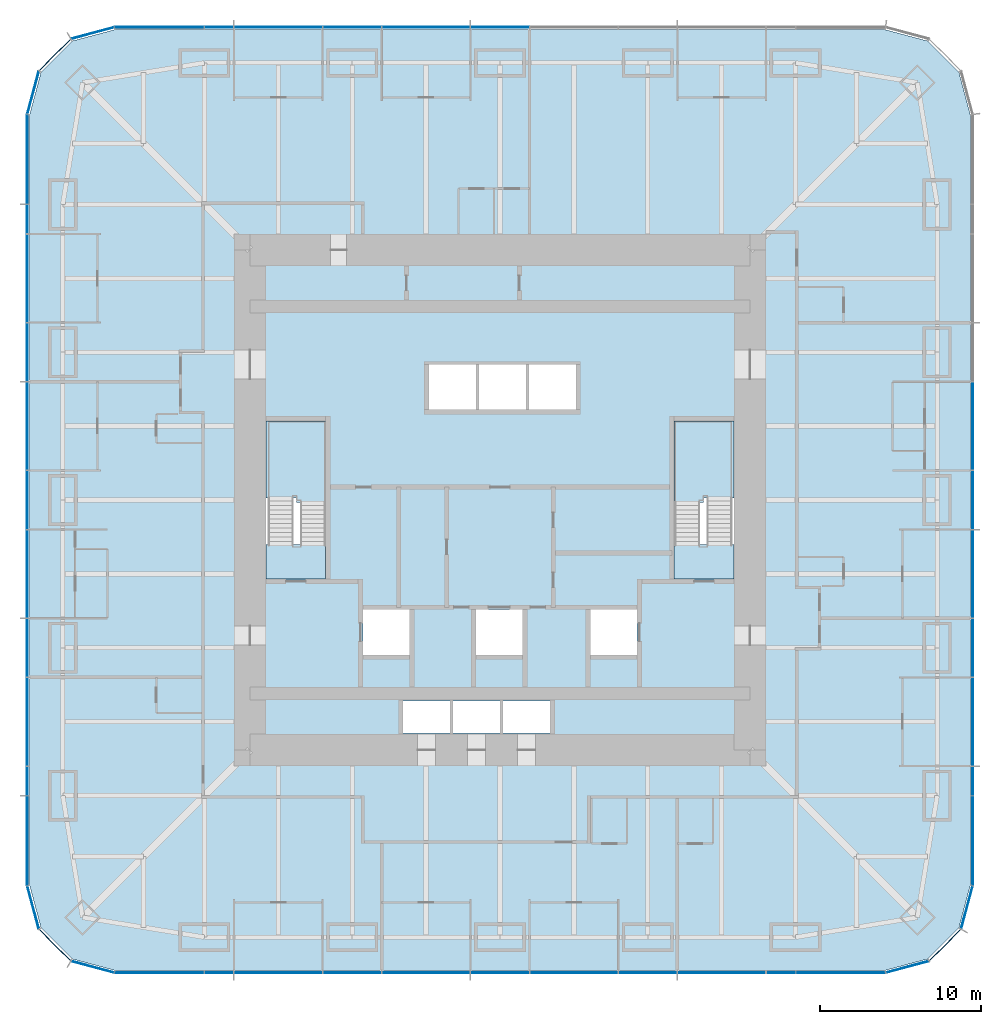
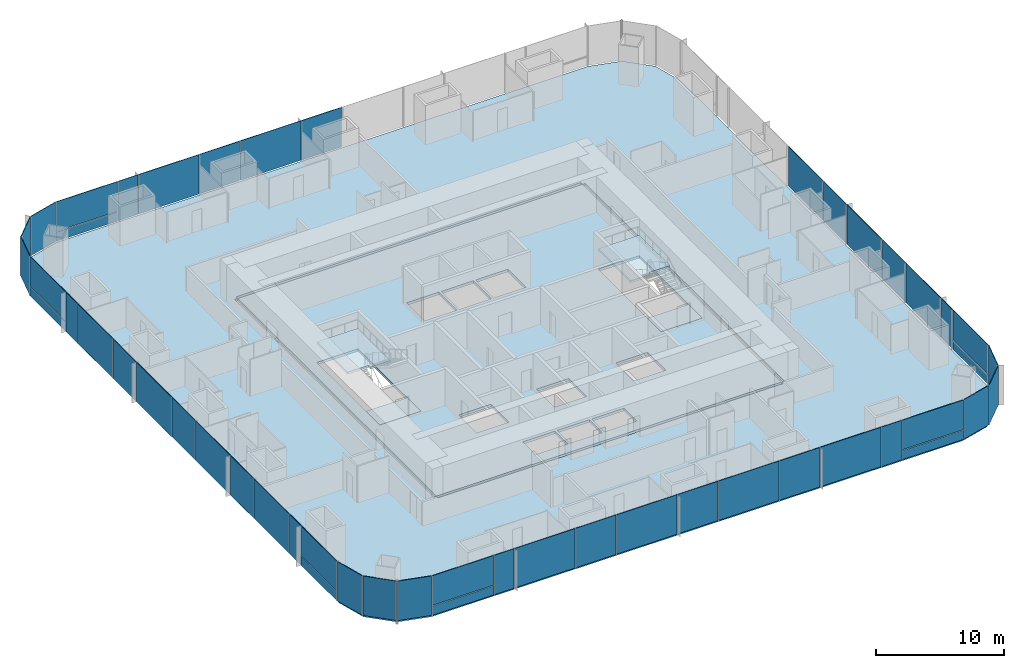
# One storey, part 7 of 13: 50 plates, 6 slabs, 9 elements without a shape of their own.
"""IFC4 building model written with IfcOpenShell, lengths in metres."""

from ifc_helpers import new_model, si_unit, direction, frame, origin, origin_2d, place, context, subcontext, project, spatial, polyline, rectangle, outline, extrude, material, layer, layer_set, type_object, element, aggregate, save


model = new_model("IFC4")

# Units and contexts
model_context = context("Model", 3, precision=1e-05, world=origin(), true_north=direction((0.0, 1.0)))
body_context = subcontext(model_context, "Body", "Model", "MODEL_VIEW")
ifc_project = project(units=[si_unit("LENGTHUNIT", "METRE"), si_unit("AREAUNIT", "SQUARE_METRE"), si_unit("VOLUMEUNIT", "CUBIC_METRE"), si_unit("PLANEANGLEUNIT", "RADIAN"), si_unit("MASSUNIT", "GRAM", prefix="KILO")], contexts=[model_context])

# Site, building, storey
site_placement = place(None, origin())
site = spatial("IfcSite", under=ifc_project, at=site_placement, CompositionType="ELEMENT")
building_placement = place(site_placement, origin())
building = spatial("IfcBuilding", under=site, at=building_placement, Name="Khuree Lantern Residences", CompositionType="ELEMENT")
storey_placement = place(building_placement, frame((0.0, 0.0, 114.75)))
storey = spatial("IfcBuildingStorey", under=building, at=storey_placement, Name="L28", CompositionType="ELEMENT", Elevation=114.75)

# Slab
ifc_material_1 = material(Name="Concrete C35/45", Category="concrete")
ifc_layer_1 = layer(ifc_material_1, 0.25)
ifc_layer_set_1 = layer_set([ifc_layer_1], Name="CFL250 CORE FLOOR SLAB 250")
slab_type_1 = type_object("IfcSlabType", Name="CFL250 CORE FLOOR SLAB 250", PredefinedType="FLOOR", material=ifc_layer_set_1)
slab_1_placement = place(storey_placement, frame((0.0, 0.0, -0.25)))
element("IfcSlab", 1, at=slab_1_placement, inside=storey, type_object=slab_type_1, Name="Core floor L28", PredefinedType="FLOOR", context=body_context, shape_type="SweptSolid", body=[
    extrude(outline(polyline([(-15.5, -15.5), (-15.5, 15.5), (15.5, 15.5), (15.5, -15.5), (-15.5, -15.5)]), holes=[polyline([(10.800048828125, 4.89990234375), (10.800048828125, -4.89990234375), (14.5, -4.89990234375), (14.5, 4.89990234375), (10.800048828125, 4.89990234375)]), polyline([(8.5, -6.800048828125), (5.60009765625, -6.800048828125), (5.60009765625, -9.60009765625), (8.5, -9.60009765625), (8.5, -6.800048828125)]), polyline([(4.699951171875, 8.39990234375), (1.800048828125, 8.39990234375), (1.800048828125, 5.60009765625), (4.699951171875, 5.60009765625), (4.699951171875, 8.39990234375)]), polyline([(3.10009765625, -12.449951171875), (0.199951171875, -12.449951171875), (0.199951171875, -14.449951171875), (3.10009765625, -14.449951171875), (3.10009765625, -12.449951171875)]), polyline([(1.60009765625, 8.39990234375), (-1.300048828125, 8.39990234375), (-1.300048828125, 5.60009765625), (1.60009765625, 5.60009765625), (1.60009765625, 8.39990234375)]), polyline([(1.39990234375, -6.800048828125), (-1.5, -6.800048828125), (-1.5, -9.60009765625), (1.39990234375, -9.60009765625), (1.39990234375, -6.800048828125)]), polyline([(-2.89990234375, -12.449951171875), (-2.89990234375, -14.449951171875), (0.0, -14.449951171875), (0.0, -12.449951171875), (-2.89990234375, -12.449951171875)]), polyline([(-4.39990234375, 8.39990234375), (-4.39990234375, 5.60009765625), (-1.5, 5.60009765625), (-1.5, 8.39990234375), (-4.39990234375, 8.39990234375)]), polyline([(-6.0, -12.449951171875), (-6.0, -14.449951171875), (-3.10009765625, -14.449951171875), (-3.10009765625, -12.449951171875), (-6.0, -12.449951171875)]), polyline([(-8.5, -6.800048828125), (-8.5, -9.60009765625), (-5.60009765625, -9.60009765625), (-5.60009765625, -6.800048828125), (-8.5, -6.800048828125)]), polyline([(-10.800048828125, 4.89990234375), (-14.5, 4.89990234375), (-14.5, -4.89990234375), (-10.800048828125, -4.89990234375), (-10.800048828125, 4.89990234375)])]), origin(), (0.0, 0.0, 1.0), 0.25),
])

# Curtain wall, plates
ifc_material_2 = material(Name="Bronze anodised aluminium", Category="aluminium")
curtain_wall_type_1 = type_object("IfcCurtainWallType", Name="CW-T2 TOWER CORNER CURTAIN WALL", PredefinedType="USERDEFINED", material=ifc_material_2)
curtain_wall_1_placement = place(storey_placement, origin())
curtain_wall_1 = element("IfcCurtainWall", 2, at=curtain_wall_1_placement, inside=storey, type_object=curtain_wall_type_1, Name="L28 SOUTH-EAST CORNER CURTAIN WALL", ObjectType="Faceted corner curtain wall", PredefinedType="USERDEFINED")
ifc_material_3 = material(Name="Bronze tinted triple glazing", Category="glass")
ifc_layer_2 = layer(ifc_material_3, 0.048095703125)
ifc_layer_set_2 = layer_set([ifc_layer_2], Name="FACET PANEL P4")
plate_type_1 = type_object("IfcPlateType", Name="FACET PANEL P4", PredefinedType="CURTAIN_PANEL", material=ifc_layer_set_2)
plate_1_placement = place(storey_placement, frame((25.248046875, -28.938720703125, 0.0), z_axis=(0.0, 0.0, 1.0), x_axis=(0.965925810153, 0.258819105321, 0.0)))
plate_1 = element("IfcPlate", 3, at=plate_1_placement, type_object=plate_type_1, Name="L28 SOUTH-EAST CORNER PANEL 1.1", PredefinedType="CURTAIN_PANEL", context=body_context, shape_type="SweptSolid", body=[
    extrude(rectangle(XDim=2.71923828125, YDim=0.048095703125, at=origin_2d()), origin(), (0.0, 0.0, 1.0), 3.75),
])
plate_2_placement = place(storey_placement, frame((27.58837890625, -27.58837890625, 0.0), z_axis=(0.0, 0.0, 1.0), x_axis=(0.707106781187, 0.707106781187, 0.0)))
plate_2 = element("IfcPlate", 4, at=plate_2_placement, type_object=plate_type_1, Name="L28 SOUTH-EAST CORNER PANEL 2.1", PredefinedType="CURTAIN_PANEL", context=body_context, shape_type="SweptSolid", body=[
    extrude(rectangle(XDim=2.715087890625, YDim=0.048095703125, at=origin_2d()), origin(), (0.0, 0.0, 1.0), 3.75),
])
plate_3_placement = place(storey_placement, frame((28.938720703125, -25.248046875, 0.0), z_axis=(0.0, 0.0, 1.0), x_axis=(0.258819105321, 0.965925810153, 0.0)))
plate_3 = element("IfcPlate", 5, at=plate_3_placement, type_object=plate_type_1, Name="L28 SOUTH-EAST CORNER PANEL 3.1", PredefinedType="CURTAIN_PANEL", context=body_context, shape_type="SweptSolid", body=[
    extrude(rectangle(XDim=2.71923828125, YDim=0.048095703125, at=origin_2d()), origin(), (0.0, 0.0, 1.0), 3.75),
])
aggregate(curtain_wall_1, [plate_1, plate_2, plate_3])

curtain_wall_2_placement = place(storey_placement, origin())
curtain_wall_2 = element("IfcCurtainWall", 6, at=curtain_wall_2_placement, inside=storey, type_object=curtain_wall_type_1, Name="L28 NORTH-WEST CORNER CURTAIN WALL", ObjectType="Faceted corner curtain wall", PredefinedType="USERDEFINED")
plate_4_placement = place(storey_placement, frame((-25.248046875, 28.938720703125, 0.0), z_axis=(0.0, 0.0, 1.0), x_axis=(-0.965925810153, -0.258819105321, 0.0)))
plate_4 = element("IfcPlate", 7, at=plate_4_placement, type_object=plate_type_1, Name="L28 NORTH-WEST CORNER PANEL 29.1", PredefinedType="CURTAIN_PANEL", context=body_context, shape_type="SweptSolid", body=[
    extrude(rectangle(XDim=2.71923828125, YDim=0.048095703125, at=origin_2d()), origin(), (0.0, 0.0, 1.0), 3.75),
])
plate_5_placement = place(storey_placement, frame((-27.58837890625, 27.58837890625, 0.0), z_axis=(0.0, 0.0, 1.0), x_axis=(-0.707106781187, -0.707106781187, 0.0)))
plate_5 = element("IfcPlate", 8, at=plate_5_placement, type_object=plate_type_1, Name="L28 NORTH-WEST CORNER PANEL 30.1", PredefinedType="CURTAIN_PANEL", context=body_context, shape_type="SweptSolid", body=[
    extrude(rectangle(XDim=2.715087890625, YDim=0.048095703125, at=origin_2d()), origin(), (0.0, 0.0, 1.0), 3.75),
])
plate_6_placement = place(storey_placement, frame((-28.938720703125, 25.248046875, 0.0), z_axis=(0.0, 0.0, 1.0), x_axis=(-0.258819105321, -0.965925810153, 0.0)))
plate_6 = element("IfcPlate", 9, at=plate_6_placement, type_object=plate_type_1, Name="L28 NORTH-WEST CORNER PANEL 31.1", PredefinedType="CURTAIN_PANEL", context=body_context, shape_type="SweptSolid", body=[
    extrude(rectangle(XDim=2.71923828125, YDim=0.048095703125, at=origin_2d()), origin(), (0.0, 0.0, 1.0), 3.75),
])
aggregate(curtain_wall_2, [plate_4, plate_5, plate_6])

curtain_wall_3_placement = place(storey_placement, origin())
curtain_wall_3 = element("IfcCurtainWall", 10, at=curtain_wall_3_placement, inside=storey, type_object=curtain_wall_type_1, Name="L28 SOUTH-WEST CORNER CURTAIN WALL", ObjectType="Faceted corner curtain wall", PredefinedType="USERDEFINED")
plate_7_placement = place(storey_placement, frame((-28.938720703125, -25.248046875, 0.0), z_axis=(0.0, 0.0, 1.0), x_axis=(0.258819105321, -0.965925810153, 0.0)))
plate_7 = element("IfcPlate", 11, at=plate_7_placement, type_object=plate_type_1, Name="L28 SOUTH-WEST CORNER PANEL 43.1", PredefinedType="CURTAIN_PANEL", context=body_context, shape_type="SweptSolid", body=[
    extrude(rectangle(XDim=2.71923828125, YDim=0.048095703125, at=origin_2d()), origin(), (0.0, 0.0, 1.0), 3.75),
])
plate_8_placement = place(storey_placement, frame((-27.58837890625, -27.58837890625, 0.0), z_axis=(0.0, 0.0, 1.0), x_axis=(0.707106781187, -0.707106781187, 0.0)))
plate_8 = element("IfcPlate", 12, at=plate_8_placement, type_object=plate_type_1, Name="L28 SOUTH-WEST CORNER PANEL 44.1", PredefinedType="CURTAIN_PANEL", context=body_context, shape_type="SweptSolid", body=[
    extrude(rectangle(XDim=2.715087890625, YDim=0.048095703125, at=origin_2d()), origin(), (0.0, 0.0, 1.0), 3.75),
])
plate_9_placement = place(storey_placement, frame((-25.248046875, -28.938720703125, 0.0), z_axis=(0.0, 0.0, 1.0), x_axis=(0.965925810153, -0.258819105321, 0.0)))
plate_9 = element("IfcPlate", 13, at=plate_9_placement, type_object=plate_type_1, Name="L28 SOUTH-WEST CORNER PANEL 45.1", PredefinedType="CURTAIN_PANEL", context=body_context, shape_type="SweptSolid", body=[
    extrude(rectangle(XDim=2.71923828125, YDim=0.048095703125, at=origin_2d()), origin(), (0.0, 0.0, 1.0), 3.75),
])
aggregate(curtain_wall_3, [plate_7, plate_8, plate_9])

curtain_wall_type_2 = type_object("IfcCurtainWallType", Name="CW-T1 TOWER FACE CURTAIN WALL", PredefinedType="USERDEFINED", material=ifc_material_2)
curtain_wall_4_placement = place(storey_placement, origin())
curtain_wall_4 = element("IfcCurtainWall", 14, at=curtain_wall_4_placement, inside=storey, type_object=curtain_wall_type_2, Name="L28 EAST FACE CURTAIN WALL", ObjectType="Stick-built curtain wall", PredefinedType="USERDEFINED")
ifc_material_4 = material(Name="Bronze tinted triple glazing with a ceramic-fritted spandrel band", Category="glass")
ifc_layer_3 = layer(ifc_material_4, 0.048095703125)
ifc_layer_set_3 = layer_set([ifc_layer_3], Name="FIXED LIGHT PANEL P11")
plate_type_2 = type_object("IfcPlateType", Name="FIXED LIGHT PANEL P11", PredefinedType="CURTAIN_PANEL", material=ifc_layer_set_3)
plate_10_placement = place(storey_placement, frame((29.300048828125, -13.739990234375, 0.0), z_axis=(0.0, 0.0, 1.0), x_axis=(0.0, 1.0, 0.0)))
plate_10 = element("IfcPlate", 15, at=plate_10_placement, type_object=plate_type_2, Name="L28 EAST FACE PANEL 6.1", PredefinedType="CURTAIN_PANEL", context=body_context, shape_type="SweptSolid", body=[
    extrude(rectangle(XDim=5.430908203125, YDim=0.048095703125, at=origin_2d()), origin(), (0.0, 0.0, 1.0), 3.75),
])
plate_11_placement = place(storey_placement, frame((29.300048828125, -4.580078125, 0.0), z_axis=(0.0, 0.0, 1.0), x_axis=(0.0, 1.0, 0.0)))
plate_11 = element("IfcPlate", 16, at=plate_11_placement, type_object=plate_type_2, Name="L28 EAST FACE PANEL 8.1", PredefinedType="CURTAIN_PANEL", context=body_context, shape_type="SweptSolid", body=[
    extrude(rectangle(XDim=5.430908203125, YDim=0.048095703125, at=origin_2d()), origin(), (0.0, 0.0, 1.0), 3.75),
])
plate_12_placement = place(storey_placement, frame((29.300048828125, 4.580078125, 0.0), z_axis=(0.0, 0.0, 1.0), x_axis=(0.0, 1.0, 0.0)))
plate_12 = element("IfcPlate", 17, at=plate_12_placement, type_object=plate_type_2, Name="L28 EAST FACE PANEL 10.1", PredefinedType="CURTAIN_PANEL", context=body_context, shape_type="SweptSolid", body=[
    extrude(rectangle(XDim=5.430908203125, YDim=0.048095703125, at=origin_2d()), origin(), (0.0, 0.0, 1.0), 3.75),
])

curtain_wall_5_placement = place(storey_placement, origin())
curtain_wall_5 = element("IfcCurtainWall", 18, at=curtain_wall_5_placement, inside=storey, type_object=curtain_wall_type_2, Name="L28 NORTH FACE CURTAIN WALL", ObjectType="Stick-built curtain wall", PredefinedType="USERDEFINED")
plate_13_placement = place(storey_placement, frame((-4.580078125, 29.300048828125, 0.0), z_axis=(0.0, 0.0, 1.0), x_axis=(-1.0, 0.0, 0.0)))
plate_13 = element("IfcPlate", 19, at=plate_13_placement, type_object=plate_type_2, Name="L28 NORTH FACE PANEL 24.1", PredefinedType="CURTAIN_PANEL", context=body_context, shape_type="SweptSolid", body=[
    extrude(rectangle(XDim=5.430908203125, YDim=0.048095703125, at=origin_2d()), origin(), (0.0, 0.0, 1.0), 3.75),
])
plate_14_placement = place(storey_placement, frame((-13.739990234375, 29.300048828125, 0.0), z_axis=(0.0, 0.0, 1.0), x_axis=(-1.0, 0.0, 0.0)))
plate_14 = element("IfcPlate", 20, at=plate_14_placement, type_object=plate_type_2, Name="L28 NORTH FACE PANEL 26.1", PredefinedType="CURTAIN_PANEL", context=body_context, shape_type="SweptSolid", body=[
    extrude(rectangle(XDim=5.430908203125, YDim=0.048095703125, at=origin_2d()), origin(), (0.0, 0.0, 1.0), 3.75),
])

curtain_wall_6_placement = place(storey_placement, origin())
curtain_wall_6 = element("IfcCurtainWall", 21, at=curtain_wall_6_placement, inside=storey, type_object=curtain_wall_type_2, Name="L28 WEST FACE CURTAIN WALL", ObjectType="Stick-built curtain wall", PredefinedType="USERDEFINED")
plate_15_placement = place(storey_placement, frame((-29.300048828125, 13.739990234375, 0.0), z_axis=(0.0, 0.0, 1.0), x_axis=(0.0, -1.0, 0.0)))
plate_15 = element("IfcPlate", 22, at=plate_15_placement, type_object=plate_type_2, Name="L28 WEST FACE PANEL 34.1", PredefinedType="CURTAIN_PANEL", context=body_context, shape_type="SweptSolid", body=[
    extrude(rectangle(XDim=5.430908203125, YDim=0.048095703125, at=origin_2d()), origin(), (0.0, 0.0, 1.0), 3.75),
])
plate_16_placement = place(storey_placement, frame((-29.300048828125, 4.580078125, 0.0), z_axis=(0.0, 0.0, 1.0), x_axis=(0.0, -1.0, 0.0)))
plate_16 = element("IfcPlate", 23, at=plate_16_placement, type_object=plate_type_2, Name="L28 WEST FACE PANEL 36.1", PredefinedType="CURTAIN_PANEL", context=body_context, shape_type="SweptSolid", body=[
    extrude(rectangle(XDim=5.430908203125, YDim=0.048095703125, at=origin_2d()), origin(), (0.0, 0.0, 1.0), 3.75),
])
plate_17_placement = place(storey_placement, frame((-29.300048828125, -4.580078125, 0.0), z_axis=(0.0, 0.0, 1.0), x_axis=(0.0, -1.0, 0.0)))
plate_17 = element("IfcPlate", 24, at=plate_17_placement, type_object=plate_type_2, Name="L28 WEST FACE PANEL 38.1", PredefinedType="CURTAIN_PANEL", context=body_context, shape_type="SweptSolid", body=[
    extrude(rectangle(XDim=5.430908203125, YDim=0.048095703125, at=origin_2d()), origin(), (0.0, 0.0, 1.0), 3.75),
])
plate_18_placement = place(storey_placement, frame((-29.300048828125, -13.739990234375, 0.0), z_axis=(0.0, 0.0, 1.0), x_axis=(0.0, -1.0, 0.0)))
plate_18 = element("IfcPlate", 25, at=plate_18_placement, type_object=plate_type_2, Name="L28 WEST FACE PANEL 40.1", PredefinedType="CURTAIN_PANEL", context=body_context, shape_type="SweptSolid", body=[
    extrude(rectangle(XDim=5.430908203125, YDim=0.048095703125, at=origin_2d()), origin(), (0.0, 0.0, 1.0), 3.75),
])

curtain_wall_7_placement = place(storey_placement, origin())
curtain_wall_7 = element("IfcCurtainWall", 26, at=curtain_wall_7_placement, inside=storey, type_object=curtain_wall_type_2, Name="L28 SOUTH FACE CURTAIN WALL", ObjectType="Stick-built curtain wall", PredefinedType="USERDEFINED")
plate_19_placement = place(storey_placement, frame((-13.739990234375, -29.300048828125, 0.0), z_axis=(0.0, 0.0, 1.0), x_axis=(1.0, 0.0, 0.0)))
plate_19 = element("IfcPlate", 27, at=plate_19_placement, type_object=plate_type_2, Name="L28 SOUTH FACE PANEL 48.1", PredefinedType="CURTAIN_PANEL", context=body_context, shape_type="SweptSolid", body=[
    extrude(rectangle(XDim=5.430908203125, YDim=0.048095703125, at=origin_2d()), origin(), (0.0, 0.0, 1.0), 3.75),
])
plate_20_placement = place(storey_placement, frame((-4.580078125, -29.300048828125, 0.0), z_axis=(0.0, 0.0, 1.0), x_axis=(1.0, 0.0, 0.0)))
plate_20 = element("IfcPlate", 28, at=plate_20_placement, type_object=plate_type_2, Name="L28 SOUTH FACE PANEL 50.1", PredefinedType="CURTAIN_PANEL", context=body_context, shape_type="SweptSolid", body=[
    extrude(rectangle(XDim=5.430908203125, YDim=0.048095703125, at=origin_2d()), origin(), (0.0, 0.0, 1.0), 3.75),
])
plate_21_placement = place(storey_placement, frame((4.580078125, -29.300048828125, 0.0), z_axis=(0.0, 0.0, 1.0), x_axis=(1.0, 0.0, 0.0)))
plate_21 = element("IfcPlate", 29, at=plate_21_placement, type_object=plate_type_2, Name="L28 SOUTH FACE PANEL 52.1", PredefinedType="CURTAIN_PANEL", context=body_context, shape_type="SweptSolid", body=[
    extrude(rectangle(XDim=5.430908203125, YDim=0.048095703125, at=origin_2d()), origin(), (0.0, 0.0, 1.0), 3.75),
])
plate_22_placement = place(storey_placement, frame((13.739990234375, -29.300048828125, 0.0), z_axis=(0.0, 0.0, 1.0), x_axis=(1.0, 0.0, 0.0)))
plate_22 = element("IfcPlate", 30, at=plate_22_placement, type_object=plate_type_2, Name="L28 SOUTH FACE PANEL 54.1", PredefinedType="CURTAIN_PANEL", context=body_context, shape_type="SweptSolid", body=[
    extrude(rectangle(XDim=5.430908203125, YDim=0.048095703125, at=origin_2d()), origin(), (0.0, 0.0, 1.0), 3.75),
])

# Slab
ifc_layer_4 = layer(ifc_material_1, 0.25)
ifc_layer_set_4 = layer_set([ifc_layer_4], Name="FS250 FLOOR SLAB 250")
slab_type_2 = type_object("IfcSlabType", Name="FS250 FLOOR SLAB 250", PredefinedType="FLOOR", material=ifc_layer_set_4)
slab_2_placement = place(storey_placement, frame((0.0, 0.0, -0.25)))
element("IfcSlab", 31, at=slab_2_placement, inside=storey, type_object=slab_type_2, Name="Floor slab L28", PredefinedType="FLOOR", context=body_context, shape_type="SweptSolid", body=[
    extrude(outline(polyline([(-26.52490234375, -28.446533203125), (-28.446533203125, -26.52490234375), (-29.14990234375, -23.89990234375), (-29.14990234375, 23.89990234375), (-28.446533203125, 26.52490234375), (-26.52490234375, 28.446533203125), (-23.89990234375, 29.14990234375), (23.89990234375, 29.14990234375), (26.52490234375, 28.446533203125), (28.446533203125, 26.52490234375), (29.14990234375, 23.89990234375), (29.14990234375, -23.89990234375), (28.446533203125, -26.52490234375), (26.52490234375, -28.446533203125), (23.89990234375, -29.14990234375), (-23.89990234375, -29.14990234375), (-26.52490234375, -28.446533203125)]), holes=[polyline([(15.75, 15.5), (15.5, 15.5), (15.5, 15.75), (-15.5, 15.75), (-15.5, 15.5), (-15.75, 15.5), (-15.75, -15.5), (-15.5, -15.5), (-15.5, -15.75), (15.5, -15.75), (15.5, -15.5), (15.75, -15.5), (15.75, 15.5)])]), origin(), (0.0, 0.0, 1.0), 0.25),
])

# Plate
ifc_material_5 = material(Name="Bronze tinted triple glazing, two aluminium-framed sashes in one frame", Category="aluminium")
ifc_layer_5 = layer(ifc_material_5, 0.048095703125)
ifc_layer_set_5 = layer_set([ifc_layer_5], Name="SASH PAIR PANEL P12")
plate_type_3 = type_object("IfcPlateType", Name="SASH PAIR PANEL P12", PredefinedType="CURTAIN_PANEL", material=ifc_layer_set_5)
plate_23_placement = place(storey_placement, frame((29.300048828125, -9.159912109375, 0.0), z_axis=(0.0, 0.0, 1.0), x_axis=(0.0, 1.0, 0.0)))
plate_23 = element("IfcPlate", 32, at=plate_23_placement, type_object=plate_type_3, Name="L28 EAST FACE PANEL 7.1", PredefinedType="CURTAIN_PANEL", context=body_context, shape_type="SweptSolid", body=[
    extrude(rectangle(XDim=3.59912109375, YDim=0.048095703125, at=origin_2d()), origin(), (0.0, 0.0, 1.0), 3.75),
])

plate_24_placement = place(storey_placement, frame((29.300048828125, 0.0, 0.0), z_axis=(0.0, 0.0, 1.0), x_axis=(0.0, 1.0, 0.0)))
plate_24 = element("IfcPlate", 33, at=plate_24_placement, type_object=plate_type_3, Name="L28 EAST FACE PANEL 9.1", PredefinedType="CURTAIN_PANEL", context=body_context, shape_type="SweptSolid", body=[
    extrude(rectangle(XDim=3.59912109375, YDim=0.048095703125, at=origin_2d()), origin(), (0.0, 0.0, 1.0), 3.75),
])

plate_25_placement = place(storey_placement, frame((0.0, 29.300048828125, 0.0), z_axis=(0.0, 0.0, 1.0), x_axis=(-1.0, 0.0, 0.0)))
plate_25 = element("IfcPlate", 34, at=plate_25_placement, type_object=plate_type_3, Name="L28 NORTH FACE PANEL 23.1", PredefinedType="CURTAIN_PANEL", context=body_context, shape_type="SweptSolid", body=[
    extrude(rectangle(XDim=3.59912109375, YDim=0.048095703125, at=origin_2d()), origin(), (0.0, 0.0, 1.0), 3.75),
])

plate_26_placement = place(storey_placement, frame((-9.159912109375, 29.300048828125, 0.0), z_axis=(0.0, 0.0, 1.0), x_axis=(-1.0, 0.0, 0.0)))
plate_26 = element("IfcPlate", 35, at=plate_26_placement, type_object=plate_type_3, Name="L28 NORTH FACE PANEL 25.1", PredefinedType="CURTAIN_PANEL", context=body_context, shape_type="SweptSolid", body=[
    extrude(rectangle(XDim=3.59912109375, YDim=0.048095703125, at=origin_2d()), origin(), (0.0, 0.0, 1.0), 3.75),
])

plate_27_placement = place(storey_placement, frame((-29.300048828125, 9.159912109375, 0.0), z_axis=(0.0, 0.0, 1.0), x_axis=(0.0, -1.0, 0.0)))
plate_27 = element("IfcPlate", 36, at=plate_27_placement, type_object=plate_type_3, Name="L28 WEST FACE PANEL 35.1", PredefinedType="CURTAIN_PANEL", context=body_context, shape_type="SweptSolid", body=[
    extrude(rectangle(XDim=3.59912109375, YDim=0.048095703125, at=origin_2d()), origin(), (0.0, 0.0, 1.0), 3.75),
])

plate_28_placement = place(storey_placement, frame((-29.300048828125, 0.0, 0.0), z_axis=(0.0, 0.0, 1.0), x_axis=(0.0, -1.0, 0.0)))
plate_28 = element("IfcPlate", 37, at=plate_28_placement, type_object=plate_type_3, Name="L28 WEST FACE PANEL 37.1", PredefinedType="CURTAIN_PANEL", context=body_context, shape_type="SweptSolid", body=[
    extrude(rectangle(XDim=3.59912109375, YDim=0.048095703125, at=origin_2d()), origin(), (0.0, 0.0, 1.0), 3.75),
])

plate_29_placement = place(storey_placement, frame((-29.300048828125, -9.159912109375, 0.0), z_axis=(0.0, 0.0, 1.0), x_axis=(0.0, -1.0, 0.0)))
plate_29 = element("IfcPlate", 38, at=plate_29_placement, type_object=plate_type_3, Name="L28 WEST FACE PANEL 39.1", PredefinedType="CURTAIN_PANEL", context=body_context, shape_type="SweptSolid", body=[
    extrude(rectangle(XDim=3.59912109375, YDim=0.048095703125, at=origin_2d()), origin(), (0.0, 0.0, 1.0), 3.75),
])

plate_30_placement = place(storey_placement, frame((-9.159912109375, -29.300048828125, 0.0), z_axis=(0.0, 0.0, 1.0), x_axis=(1.0, 0.0, 0.0)))
plate_30 = element("IfcPlate", 39, at=plate_30_placement, type_object=plate_type_3, Name="L28 SOUTH FACE PANEL 49.1", PredefinedType="CURTAIN_PANEL", context=body_context, shape_type="SweptSolid", body=[
    extrude(rectangle(XDim=3.59912109375, YDim=0.048095703125, at=origin_2d()), origin(), (0.0, 0.0, 1.0), 3.75),
])

plate_31_placement = place(storey_placement, frame((0.0, -29.300048828125, 0.0), z_axis=(0.0, 0.0, 1.0), x_axis=(1.0, 0.0, 0.0)))
plate_31 = element("IfcPlate", 40, at=plate_31_placement, type_object=plate_type_3, Name="L28 SOUTH FACE PANEL 51.1", PredefinedType="CURTAIN_PANEL", context=body_context, shape_type="SweptSolid", body=[
    extrude(rectangle(XDim=3.59912109375, YDim=0.048095703125, at=origin_2d()), origin(), (0.0, 0.0, 1.0), 3.75),
])

plate_32_placement = place(storey_placement, frame((9.159912109375, -29.300048828125, 0.0), z_axis=(0.0, 0.0, 1.0), x_axis=(1.0, 0.0, 0.0)))
plate_32 = element("IfcPlate", 41, at=plate_32_placement, type_object=plate_type_3, Name="L28 SOUTH FACE PANEL 53.1", PredefinedType="CURTAIN_PANEL", context=body_context, shape_type="SweptSolid", body=[
    extrude(rectangle(XDim=3.59912109375, YDim=0.048095703125, at=origin_2d()), origin(), (0.0, 0.0, 1.0), 3.75),
])

ifc_material_6 = material(Name="Bronze tinted triple glazing, aluminium-framed sash", Category="aluminium")
ifc_layer_6 = layer(ifc_material_6, 0.048095703125)
ifc_layer_set_6 = layer_set([ifc_layer_6], Name="SASH PANEL P3")
plate_type_4 = type_object("IfcPlateType", Name="SASH PANEL P3", PredefinedType="CURTAIN_PANEL", material=ifc_layer_set_6)
plate_33_placement = place(storey_placement, frame((29.300048828125, -17.404052734375, 0.0), z_axis=(0.0, 0.0, 1.0), x_axis=(0.0, 1.0, 0.0)))
plate_33 = element("IfcPlate", 42, at=plate_33_placement, type_object=plate_type_4, Name="L28 EAST FACE PANEL 5.1", PredefinedType="CURTAIN_PANEL", context=body_context, shape_type="SweptSolid", body=[
    extrude(rectangle(XDim=1.76708984375, YDim=0.048095703125, at=origin_2d()), origin(), (0.0, 0.0, 1.0), 3.75),
])

plate_34_placement = place(storey_placement, frame((-17.404052734375, 29.300048828125, 0.0), z_axis=(0.0, 0.0, 1.0), x_axis=(-1.0, 0.0, 0.0)))
plate_34 = element("IfcPlate", 43, at=plate_34_placement, type_object=plate_type_4, Name="L28 NORTH FACE PANEL 27.1", PredefinedType="CURTAIN_PANEL", context=body_context, shape_type="SweptSolid", body=[
    extrude(rectangle(XDim=1.76708984375, YDim=0.048095703125, at=origin_2d()), origin(), (0.0, 0.0, 1.0), 3.75),
])

plate_35_placement = place(storey_placement, frame((-29.300048828125, 17.404052734375, 0.0), z_axis=(0.0, 0.0, 1.0), x_axis=(0.0, -1.0, 0.0)))
plate_35 = element("IfcPlate", 44, at=plate_35_placement, type_object=plate_type_4, Name="L28 WEST FACE PANEL 33.1", PredefinedType="CURTAIN_PANEL", context=body_context, shape_type="SweptSolid", body=[
    extrude(rectangle(XDim=1.76708984375, YDim=0.048095703125, at=origin_2d()), origin(), (0.0, 0.0, 1.0), 3.75),
])

plate_36_placement = place(storey_placement, frame((-29.300048828125, -17.404052734375, 0.0), z_axis=(0.0, 0.0, 1.0), x_axis=(0.0, -1.0, 0.0)))
plate_36 = element("IfcPlate", 45, at=plate_36_placement, type_object=plate_type_4, Name="L28 WEST FACE PANEL 41.1", PredefinedType="CURTAIN_PANEL", context=body_context, shape_type="SweptSolid", body=[
    extrude(rectangle(XDim=1.76708984375, YDim=0.048095703125, at=origin_2d()), origin(), (0.0, 0.0, 1.0), 3.75),
])

plate_37_placement = place(storey_placement, frame((-17.404052734375, -29.300048828125, 0.0), z_axis=(0.0, 0.0, 1.0), x_axis=(1.0, 0.0, 0.0)))
plate_37 = element("IfcPlate", 46, at=plate_37_placement, type_object=plate_type_4, Name="L28 SOUTH FACE PANEL 47.1", PredefinedType="CURTAIN_PANEL", context=body_context, shape_type="SweptSolid", body=[
    extrude(rectangle(XDim=1.76708984375, YDim=0.048095703125, at=origin_2d()), origin(), (0.0, 0.0, 1.0), 3.75),
])

plate_38_placement = place(storey_placement, frame((17.404052734375, -29.300048828125, 0.0), z_axis=(0.0, 0.0, 1.0), x_axis=(1.0, 0.0, 0.0)))
plate_38 = element("IfcPlate", 47, at=plate_38_placement, type_object=plate_type_4, Name="L28 SOUTH FACE PANEL 55.1", PredefinedType="CURTAIN_PANEL", context=body_context, shape_type="SweptSolid", body=[
    extrude(rectangle(XDim=1.76708984375, YDim=0.048095703125, at=origin_2d()), origin(), (0.0, 0.0, 1.0), 3.75),
])

ifc_material_7 = material(Name="Bronze anodised aluminium insulated spandrel", Category="aluminium")
ifc_layer_7 = layer(ifc_material_7, 0.06005859375)
ifc_layer_set_7 = layer_set([ifc_layer_7], Name="SPANDREL PANEL P2")
plate_type_5 = type_object("IfcPlateType", Name="SPANDREL PANEL P2", PredefinedType="CURTAIN_PANEL", material=ifc_layer_set_7)
plate_39_placement = place(storey_placement, frame((29.300048828125, -21.10791015625, 0.0), z_axis=(0.0, 0.0, 1.0), x_axis=(0.0, 1.0, 0.0)))
plate_39 = element("IfcPlate", 48, at=plate_39_placement, type_object=plate_type_5, Name="L28 EAST FACE PANEL 4.1", PredefinedType="CURTAIN_PANEL", context=body_context, shape_type="SweptSolid", body=[
    extrude(rectangle(XDim=5.5107421875, YDim=0.06005859375, at=origin_2d()), origin(), (0.0, 0.0, 1.0), 0.867431640625),
])

plate_40_placement = place(storey_placement, frame((-21.10791015625, 29.300048828125, 0.0), z_axis=(0.0, 0.0, 1.0), x_axis=(-1.0, 0.0, 0.0)))
plate_40 = element("IfcPlate", 49, at=plate_40_placement, type_object=plate_type_5, Name="L28 NORTH FACE PANEL 28.1", PredefinedType="CURTAIN_PANEL", context=body_context, shape_type="SweptSolid", body=[
    extrude(rectangle(XDim=5.5107421875, YDim=0.06005859375, at=origin_2d()), origin(), (0.0, 0.0, 1.0), 0.867431640625),
])

plate_41_placement = place(storey_placement, frame((-29.300048828125, 21.10791015625, 0.0), z_axis=(0.0, 0.0, 1.0), x_axis=(0.0, -1.0, 0.0)))
plate_41 = element("IfcPlate", 50, at=plate_41_placement, type_object=plate_type_5, Name="L28 WEST FACE PANEL 32.1", PredefinedType="CURTAIN_PANEL", context=body_context, shape_type="SweptSolid", body=[
    extrude(rectangle(XDim=5.5107421875, YDim=0.06005859375, at=origin_2d()), origin(), (0.0, 0.0, 1.0), 0.867431640625),
])

plate_42_placement = place(storey_placement, frame((-29.300048828125, -21.10791015625, 0.0), z_axis=(0.0, 0.0, 1.0), x_axis=(0.0, -1.0, 0.0)))
plate_42 = element("IfcPlate", 51, at=plate_42_placement, type_object=plate_type_5, Name="L28 WEST FACE PANEL 42.1", PredefinedType="CURTAIN_PANEL", context=body_context, shape_type="SweptSolid", body=[
    extrude(rectangle(XDim=5.5107421875, YDim=0.06005859375, at=origin_2d()), origin(), (0.0, 0.0, 1.0), 0.867431640625),
])

plate_43_placement = place(storey_placement, frame((-21.10791015625, -29.300048828125, 0.0), z_axis=(0.0, 0.0, 1.0), x_axis=(1.0, 0.0, 0.0)))
plate_43 = element("IfcPlate", 52, at=plate_43_placement, type_object=plate_type_5, Name="L28 SOUTH FACE PANEL 46.1", PredefinedType="CURTAIN_PANEL", context=body_context, shape_type="SweptSolid", body=[
    extrude(rectangle(XDim=5.5107421875, YDim=0.06005859375, at=origin_2d()), origin(), (0.0, 0.0, 1.0), 0.867431640625),
])

plate_44_placement = place(storey_placement, frame((21.10791015625, -29.300048828125, 0.0), z_axis=(0.0, 0.0, 1.0), x_axis=(1.0, 0.0, 0.0)))
plate_44 = element("IfcPlate", 53, at=plate_44_placement, type_object=plate_type_5, Name="L28 SOUTH FACE PANEL 56.1", PredefinedType="CURTAIN_PANEL", context=body_context, shape_type="SweptSolid", body=[
    extrude(rectangle(XDim=5.5107421875, YDim=0.06005859375, at=origin_2d()), origin(), (0.0, 0.0, 1.0), 0.867431640625),
])

# Stair, slabs
ifc_material_8 = material(Name="Concrete C40/50", Category="concrete")
stair_type = type_object("IfcStairType", Name="STAIR ST1 HALF TURN 3600", PredefinedType="HALF_TURN_STAIR", material=ifc_material_8)
stair_1_placement = place(storey_placement, origin())
stair_1 = element("IfcStair", 54, at=stair_1_placement, inside=storey, type_object=stair_type, Name="Stair ST1", PredefinedType="HALF_TURN_STAIR")
ifc_layer_8 = layer(ifc_material_8, 0.199951171875)
ifc_layer_set_8 = layer_set([ifc_layer_8], Name="STAIR LANDING SL1 200")
slab_type_3 = type_object("IfcSlabType", Name="STAIR LANDING SL1 200", PredefinedType="LANDING", material=ifc_layer_set_8)
slab_3_placement = place(storey_placement, frame((0.0, 0.0, -0.199951171875)))
slab_3 = element("IfcSlab", 55, at=slab_3_placement, type_object=slab_type_3, Name="ST1 landing 1", PredefinedType="LANDING", context=body_context, shape_type="SweptSolid", body=[
    extrude(outline(polyline([(-14.5, -4.89990234375), (-10.800048828125, -4.89990234375), (-10.800048828125, -2.760009765625), (-14.5, -2.760009765625), (-14.5, -4.89990234375)])), origin(), (0.0, 0.0, 1.0), 0.199951171875),
])
slab_4_placement = place(storey_placement, frame((0.0, 0.0, 1.756591796875)))
slab_4 = element("IfcSlab", 56, at=slab_4_placement, type_object=slab_type_3, Name="ST1 landing 2", PredefinedType="LANDING", context=body_context, shape_type="SweptSolid", body=[
    extrude(outline(polyline([(-14.5, 0.1201171875), (-14.5, 4.89990234375), (-10.800048828125, 4.89990234375), (-10.800048828125, -0.159912109375), (-12.60009765625, -0.159912109375), (-12.60009765625, 0.1201171875), (-14.5, 0.1201171875)])), origin(), (0.0, 0.0, 1.0), 0.199951171875),
])
aggregate(stair_1, [slab_3, slab_4])

stair_2_placement = place(storey_placement, origin())
stair_2 = element("IfcStair", 57, at=stair_2_placement, inside=storey, type_object=stair_type, Name="Stair ST2", PredefinedType="HALF_TURN_STAIR")
slab_5_placement = place(storey_placement, frame((0.0, 0.0, -0.199951171875)))
slab_5 = element("IfcSlab", 58, at=slab_5_placement, type_object=slab_type_3, Name="ST2 landing 1", PredefinedType="LANDING", context=body_context, shape_type="SweptSolid", body=[
    extrude(outline(polyline([(10.800048828125, -4.89990234375), (14.5, -4.89990234375), (14.5, -2.760009765625), (10.800048828125, -2.760009765625), (10.800048828125, -4.89990234375)])), origin(), (0.0, 0.0, 1.0), 0.199951171875),
])
slab_6_placement = place(storey_placement, frame((0.0, 0.0, 1.756591796875)))
slab_6 = element("IfcSlab", 59, at=slab_6_placement, type_object=slab_type_3, Name="ST2 landing 2", PredefinedType="LANDING", context=body_context, shape_type="SweptSolid", body=[
    extrude(outline(polyline([(14.5, 4.89990234375), (14.5, 0.1201171875), (12.60009765625, 0.1201171875), (12.60009765625, -0.159912109375), (10.800048828125, -0.159912109375), (10.800048828125, 4.89990234375), (14.5, 4.89990234375)])), origin(), (0.0, 0.0, 1.0), 0.199951171875),
])
aggregate(stair_2, [slab_5, slab_6])

# Plate
ifc_layer_9 = layer(ifc_material_3, 0.048095703125)
ifc_layer_set_9 = layer_set([ifc_layer_9], Name="VISION PANEL P1")
plate_type_6 = type_object("IfcPlateType", Name="VISION PANEL P1", PredefinedType="CURTAIN_PANEL", material=ifc_layer_set_9)
plate_45_placement = place(storey_placement, frame((29.300048828125, -21.1083984375, 0.9326171875), z_axis=(0.0, 0.0, 1.0), x_axis=(0.0, 1.0, 0.0)))
plate_45 = element("IfcPlate", 60, at=plate_45_placement, type_object=plate_type_6, Name="L28 EAST FACE PANEL 4.2", PredefinedType="CURTAIN_PANEL", context=body_context, shape_type="SweptSolid", body=[
    extrude(rectangle(XDim=5.511474609375, YDim=0.048095703125, at=origin_2d()), origin(), (0.0, 0.0, 1.0), 2.8173828125),
])

aggregate(curtain_wall_4, [plate_39, plate_45, plate_33, plate_10, plate_23, plate_11, plate_24, plate_12])

plate_46_placement = place(storey_placement, frame((-21.1083984375, 29.300048828125, 0.9326171875), z_axis=(0.0, 0.0, 1.0), x_axis=(-1.0, 0.0, 0.0)))
plate_46 = element("IfcPlate", 61, at=plate_46_placement, type_object=plate_type_6, Name="L28 NORTH FACE PANEL 28.2", PredefinedType="CURTAIN_PANEL", context=body_context, shape_type="SweptSolid", body=[
    extrude(rectangle(XDim=5.511474609375, YDim=0.048095703125, at=origin_2d()), origin(), (0.0, 0.0, 1.0), 2.8173828125),
])

aggregate(curtain_wall_5, [plate_25, plate_13, plate_26, plate_14, plate_34, plate_40, plate_46])

plate_47_placement = place(storey_placement, frame((-29.300048828125, 21.1083984375, 0.9326171875), z_axis=(0.0, 0.0, 1.0), x_axis=(0.0, -1.0, 0.0)))
plate_47 = element("IfcPlate", 62, at=plate_47_placement, type_object=plate_type_6, Name="L28 WEST FACE PANEL 32.2", PredefinedType="CURTAIN_PANEL", context=body_context, shape_type="SweptSolid", body=[
    extrude(rectangle(XDim=5.511474609375, YDim=0.048095703125, at=origin_2d()), origin(), (0.0, 0.0, 1.0), 2.8173828125),
])

plate_48_placement = place(storey_placement, frame((-29.300048828125, -21.1083984375, 0.9326171875), z_axis=(0.0, 0.0, 1.0), x_axis=(0.0, -1.0, 0.0)))
plate_48 = element("IfcPlate", 63, at=plate_48_placement, type_object=plate_type_6, Name="L28 WEST FACE PANEL 42.2", PredefinedType="CURTAIN_PANEL", context=body_context, shape_type="SweptSolid", body=[
    extrude(rectangle(XDim=5.511474609375, YDim=0.048095703125, at=origin_2d()), origin(), (0.0, 0.0, 1.0), 2.8173828125),
])

aggregate(curtain_wall_6, [plate_41, plate_47, plate_35, plate_15, plate_27, plate_16, plate_28, plate_17, plate_29, plate_18, plate_36, plate_42, plate_48])

plate_49_placement = place(storey_placement, frame((-21.1083984375, -29.300048828125, 0.9326171875), z_axis=(0.0, 0.0, 1.0), x_axis=(1.0, 0.0, 0.0)))
plate_49 = element("IfcPlate", 64, at=plate_49_placement, type_object=plate_type_6, Name="L28 SOUTH FACE PANEL 46.2", PredefinedType="CURTAIN_PANEL", context=body_context, shape_type="SweptSolid", body=[
    extrude(rectangle(XDim=5.511474609375, YDim=0.048095703125, at=origin_2d()), origin(), (0.0, 0.0, 1.0), 2.8173828125),
])

plate_50_placement = place(storey_placement, frame((21.1083984375, -29.300048828125, 0.9326171875), z_axis=(0.0, 0.0, 1.0), x_axis=(1.0, 0.0, 0.0)))
plate_50 = element("IfcPlate", 65, at=plate_50_placement, type_object=plate_type_6, Name="L28 SOUTH FACE PANEL 56.2", PredefinedType="CURTAIN_PANEL", context=body_context, shape_type="SweptSolid", body=[
    extrude(rectangle(XDim=5.511474609375, YDim=0.048095703125, at=origin_2d()), origin(), (0.0, 0.0, 1.0), 2.8173828125),
])

aggregate(curtain_wall_7, [plate_43, plate_49, plate_37, plate_19, plate_30, plate_20, plate_31, plate_21, plate_32, plate_22, plate_38, plate_44, plate_50])

save(model, "model.ifc")
